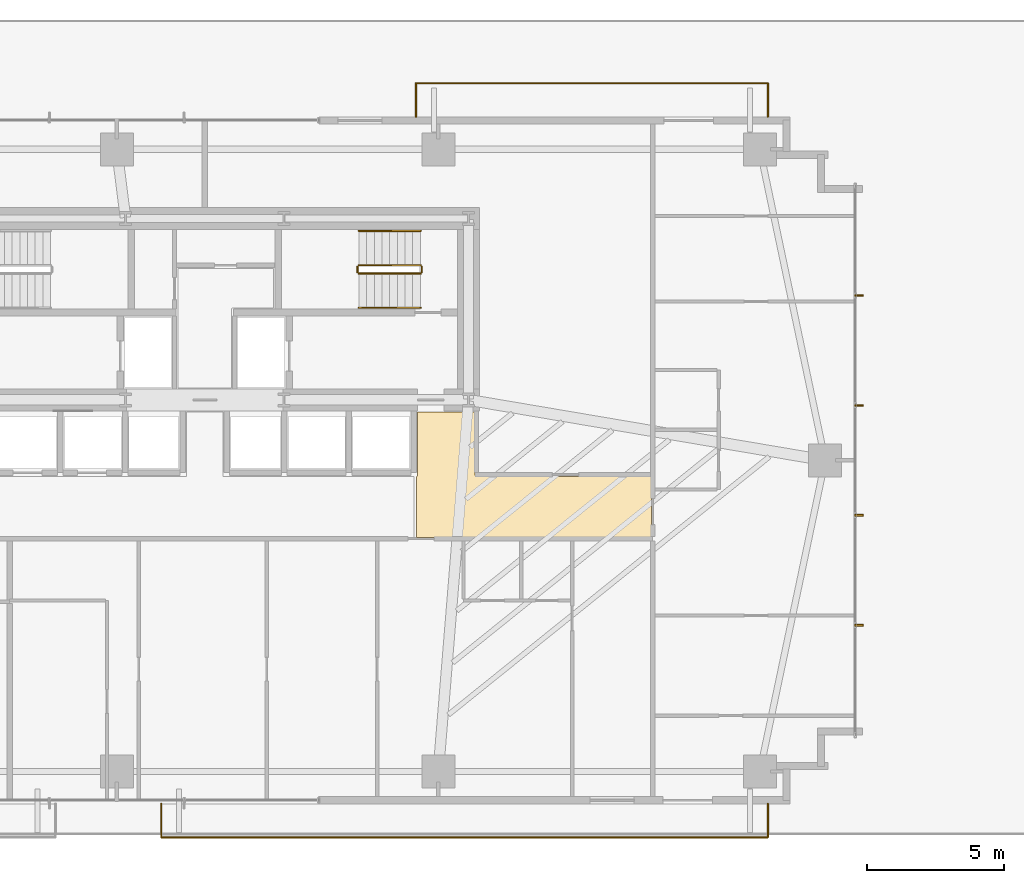
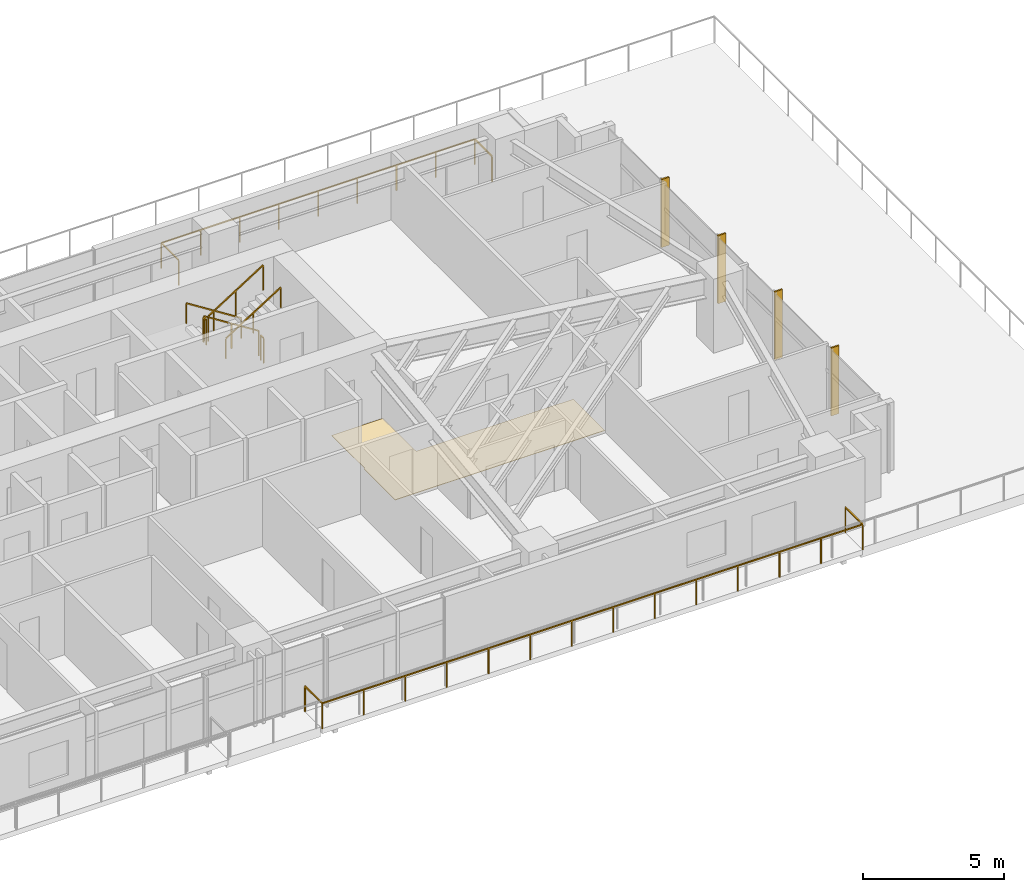
# One storey, part 26 of 26: 8 railings, 4 shading devices, 1 covering.
"""IFC4 building model written with IfcOpenShell, lengths in metres."""

from ifc_helpers import new_model, si_unit, direction, frame, origin, origin_2d, place, context, subcontext, project, spatial, polyline, rectangle, outline, extrude, source, transform, mapped, material, layer, layer_set, type_object, type_shapes, element, save


model = new_model("IFC4")

# Units and contexts
model_context = context("Model", 3, precision=1e-05, world=origin(), true_north=direction((0.0, 1.0)))
body_context = subcontext(model_context, "Body", "Model", "MODEL_VIEW")
ifc_project = project(units=[si_unit("LENGTHUNIT", "METRE"), si_unit("AREAUNIT", "SQUARE_METRE"), si_unit("VOLUMEUNIT", "CUBIC_METRE"), si_unit("PLANEANGLEUNIT", "RADIAN"), si_unit("MASSUNIT", "GRAM", prefix="KILO")], contexts=[model_context])

# Site, building, storey
site_placement = place(None, origin())
site = spatial("IfcSite", under=ifc_project, at=site_placement, CompositionType="ELEMENT")
building_placement = place(site_placement, origin())
building = spatial("IfcBuilding", under=site, at=building_placement, Name="Astriad Promenade Condominiums", CompositionType="ELEMENT")
storey_placement = place(building_placement, frame((0.0, 0.0, 23.0)))
storey = spatial("IfcBuildingStorey", under=building, at=storey_placement, Name="L05", CompositionType="ELEMENT", Elevation=23.0)

# Covering
ifc_material_1 = material(Name="Polished Lakefront Terrazzo Flooring")
ifc_layer = layer(ifc_material_1, 0.02001953125)
ifc_layer_set = layer_set([ifc_layer], Name="Polished Lakefront Terrazzo Flooring")
covering_type = type_object("IfcCoveringType", Name="COV-FLOR-TERRAZZO-20", PredefinedType="FLOORING", material=ifc_layer_set)
covering_placement = place(storey_placement, origin())
element("IfcCovering", 1, at=covering_placement, inside=storey, type_object=covering_type, Name="FLR-L05-COR-1", PredefinedType="FLOORING", context=body_context, shape_type="SweptSolid", body=[
    extrude(outline(polyline([(43.699951171875, 12.389892578125), (43.699951171875, 14.610107421875), (43.703857421875, 14.610107421875), (43.707763671875, 14.61083984375), (43.711669921875, 14.61181640625), (43.71533203125, 14.613037109375), (43.718994140625, 14.61474609375), (43.72216796875, 14.61669921875), (43.725341796875, 14.619140625), (43.728271484375, 14.62158203125), (43.73095703125, 14.62451171875), (43.7333984375, 14.627685546875), (43.7353515625, 14.631103515625), (43.737060546875, 14.634765625), (43.73828125, 14.638427734375), (43.7392578125, 14.64208984375), (43.73974609375, 14.64599609375), (43.739990234375, 14.64990234375), (43.739990234375, 16.9599609375), (45.840087890625, 16.9599609375), (45.840087890625, 14.659912109375), (45.840087890625, 14.656005859375), (45.8408203125, 14.652099609375), (45.841796875, 14.6484375), (45.843017578125, 14.644775390625), (45.8447265625, 14.64111328125), (45.8466796875, 14.6376953125), (45.84912109375, 14.634521484375), (45.851806640625, 14.631591796875), (45.8544921875, 14.629150390625), (45.85791015625, 14.626708984375), (45.861083984375, 14.624755859375), (45.86474609375, 14.623046875), (45.868408203125, 14.62158203125), (45.872314453125, 14.620849609375), (45.876220703125, 14.6201171875), (45.8798828125, 14.6201171875), (52.260009765625, 14.6201171875), (52.260009765625, 12.389892578125), (43.699951171875, 12.389892578125)])), origin(), (0.0, 0.0, 1.0), 0.02001953125),
])

# Shading devices
ifc_material_2 = material(Name="Anodised aluminium 6063-T6 Black Fin", Category="aluminium")
shading_device_type = type_object("IfcShadingDeviceType", Name="FIN-BLACK-320", PredefinedType="USERDEFINED", material=ifc_material_2)
shared_shape_1 = source(origin(), body_context, "Body", "SweptSolid", [
    extrude(rectangle(XDim=0.06494140625, YDim=0.320068359375, at=origin_2d()), origin(), (0.0, 0.0, 1.0), 2.93994140625),
])
type_shapes(shading_device_type, [shared_shape_1])
for number, where, z_axis, x_axis, name in (
    (2, (59.81005859375, 21.199951171875, 0.0), (0.0, 0.0, 1.0), (0.0, -1.0, 0.0), "CW-L05-E-FIN-01"),
    (3, (59.81005859375, 17.199951171875, 0.0), (0.0, 0.0, 1.0), (0.0, -1.0, 0.0), "CW-L05-E-FIN-02"),
    (4, (59.81005859375, 13.199951171875, 0.0), (0.0, 0.0, 1.0), (0.0, -1.0, 0.0), "CW-L05-E-FIN-03"),
    (5, (59.81005859375, 9.199951171875, 0.0), (0.0, 0.0, 1.0), (0.0, -1.0, 0.0), "CW-L05-E-FIN-04"),
):
    element("IfcShadingDevice", number, at=place(storey_placement, frame(where, z_axis=z_axis, x_axis=x_axis)), inside=storey, type_object=shading_device_type, Name=name, ObjectType="FIN", PredefinedType="USERDEFINED", context=body_context, shape_type="MappedRepresentation", body=[
        mapped(shared_shape_1, transform((0.0, 0.0, 0.0), scale=1.0)),
    ])

# Railings
ifc_material_3 = material(Name="Laminated Glass and Stainless Steel Balustrade", Category="steel")
railing_type_1 = type_object("IfcRailingType", Name="GRD-BALC-1120", PredefinedType="BALUSTRADE", material=ifc_material_3)
shared_shape_2 = source(origin(), body_context, "Body", "SweptSolid", [
    extrude(rectangle(XDim=0.048095703125, YDim=0.048095703125, at=origin_2d()), frame((0.0, 0.0, 1.09619140625), z_axis=(0.0, -1.0, 0.0), x_axis=(1.0, 0.0, 0.0)), (0.0, 0.0, 1.0), 1.219970703125),
    extrude(rectangle(XDim=0.048095703125, YDim=0.048095703125, at=origin_2d()), frame((0.0, -1.219970703125, 1.09619140625), z_axis=(1.0, 0.0, 0.0), x_axis=(0.0, 1.0, 0.0)), (0.0, 0.0, 1.0), 22.075927734375),
    extrude(rectangle(XDim=0.048095703125, YDim=0.048095703125, at=origin_2d()), frame((22.075927734375, -1.219970703125, 1.09619140625), z_axis=(0.0, 1.0, 0.0), x_axis=(-1.0, 0.0, 0.0)), (0.0, 0.0, 1.0), 1.219970703125),
    extrude(rectangle(XDim=0.0419921875, YDim=0.0419921875, at=origin_2d()), origin(), (0.0, 0.0, 1.0), 1.072021484375),
    extrude(rectangle(XDim=0.0419921875, YDim=0.0419921875, at=origin_2d()), frame((0.0, -1.219970703125, 0.0)), (0.0, 0.0, 1.0), 1.072021484375),
    extrude(rectangle(XDim=0.0419921875, YDim=0.0419921875, at=origin_2d()), frame((1.6982421875, -1.219970703125, 0.0)), (0.0, 0.0, 1.0), 1.072021484375),
    extrude(rectangle(XDim=0.0419921875, YDim=0.0419921875, at=origin_2d()), frame((3.396240234375, -1.219970703125, 0.0)), (0.0, 0.0, 1.0), 1.072021484375),
    extrude(rectangle(XDim=0.0419921875, YDim=0.0419921875, at=origin_2d()), frame((5.094482421875, -1.219970703125, 0.0)), (0.0, 0.0, 1.0), 1.072021484375),
    extrude(rectangle(XDim=0.0419921875, YDim=0.0419921875, at=origin_2d()), frame((6.79248046875, -1.219970703125, 0.0)), (0.0, 0.0, 1.0), 1.072021484375),
    extrude(rectangle(XDim=0.0419921875, YDim=0.0419921875, at=origin_2d()), frame((8.49072265625, -1.219970703125, 0.0)), (0.0, 0.0, 1.0), 1.072021484375),
    extrude(rectangle(XDim=0.0419921875, YDim=0.0419921875, at=origin_2d()), frame((10.18896484375, -1.219970703125, 0.0)), (0.0, 0.0, 1.0), 1.072021484375),
    extrude(rectangle(XDim=0.0419921875, YDim=0.0419921875, at=origin_2d()), frame((11.886962890625, -1.219970703125, 0.0)), (0.0, 0.0, 1.0), 1.072021484375),
    extrude(rectangle(XDim=0.0419921875, YDim=0.0419921875, at=origin_2d()), frame((13.585205078125, -1.219970703125, 0.0)), (0.0, 0.0, 1.0), 1.072021484375),
    extrude(rectangle(XDim=0.0419921875, YDim=0.0419921875, at=origin_2d()), frame((15.283447265625, -1.219970703125, 0.0)), (0.0, 0.0, 1.0), 1.072021484375),
    extrude(rectangle(XDim=0.0419921875, YDim=0.0419921875, at=origin_2d()), frame((16.9814453125, -1.219970703125, 0.0)), (0.0, 0.0, 1.0), 1.072021484375),
    extrude(rectangle(XDim=0.0419921875, YDim=0.0419921875, at=origin_2d()), frame((18.6796875, -1.219970703125, 0.0)), (0.0, 0.0, 1.0), 1.072021484375),
    extrude(rectangle(XDim=0.0419921875, YDim=0.0419921875, at=origin_2d()), frame((20.377685546875, -1.219970703125, 0.0)), (0.0, 0.0, 1.0), 1.072021484375),
    extrude(rectangle(XDim=0.0419921875, YDim=0.0419921875, at=origin_2d()), frame((22.075927734375, -1.219970703125, 0.0)), (0.0, 0.0, 1.0), 1.072021484375),
    extrude(rectangle(XDim=0.0419921875, YDim=0.0419921875, at=origin_2d()), frame((22.075927734375, 0.0, 0.0)), (0.0, 0.0, 1.0), 1.072021484375),
])
railing_1_placement = place(storey_placement, frame((34.41796875, 2.699951171875, 0.0)))
element("IfcRailing", 6, at=railing_1_placement, inside=storey, type_object=railing_type_1, Name="GRD-BALC-L05-SE", PredefinedType="BALUSTRADE", context=body_context, shape_type="MappedRepresentation", body=[
    mapped(shared_shape_2, transform((0.0, 0.0, 0.0), scale=1.0)),
])
shared_shape_3 = source(origin(), body_context, "Body", "SweptSolid", [
    extrude(rectangle(XDim=0.048095703125, YDim=0.048095703125, at=origin_2d()), frame((0.0, 0.0, 1.09619140625), z_axis=(0.0, 1.0, 0.0), x_axis=(-1.0, 0.0, 0.0)), (0.0, 0.0, 1.0), 1.219970703125),
    extrude(rectangle(XDim=0.048095703125, YDim=0.048095703125, at=origin_2d()), frame((0.0, 1.219970703125, 1.09619140625), z_axis=(-1.0, 0.0, 0.0), x_axis=(0.0, -1.0, 0.0)), (0.0, 0.0, 1.0), 12.803955078125),
    extrude(rectangle(XDim=0.048095703125, YDim=0.048095703125, at=origin_2d()), frame((-12.803955078125, 1.219970703125, 1.09619140625), z_axis=(0.0, -1.0, 0.0), x_axis=(1.0, 0.0, 0.0)), (0.0, 0.0, 1.0), 1.219970703125),
    extrude(rectangle(XDim=0.0419921875, YDim=0.0419921875, at=origin_2d()), origin(), (0.0, 0.0, 1.0), 1.072021484375),
    extrude(rectangle(XDim=0.0419921875, YDim=0.0419921875, at=origin_2d()), frame((0.0, 1.219970703125, 0.0)), (0.0, 0.0, 1.0), 1.072021484375),
    extrude(rectangle(XDim=0.0419921875, YDim=0.0419921875, at=origin_2d()), frame((-1.6005859375, 1.219970703125, 0.0)), (0.0, 0.0, 1.0), 1.072021484375),
    extrude(rectangle(XDim=0.0419921875, YDim=0.0419921875, at=origin_2d()), frame((-3.200927734375, 1.219970703125, 0.0)), (0.0, 0.0, 1.0), 1.072021484375),
    extrude(rectangle(XDim=0.0419921875, YDim=0.0419921875, at=origin_2d()), frame((-4.801513671875, 1.219970703125, 0.0)), (0.0, 0.0, 1.0), 1.072021484375),
    extrude(rectangle(XDim=0.0419921875, YDim=0.0419921875, at=origin_2d()), frame((-6.40185546875, 1.219970703125, 0.0)), (0.0, 0.0, 1.0), 1.072021484375),
    extrude(rectangle(XDim=0.0419921875, YDim=0.0419921875, at=origin_2d()), frame((-8.00244140625, 1.219970703125, 0.0)), (0.0, 0.0, 1.0), 1.072021484375),
    extrude(rectangle(XDim=0.0419921875, YDim=0.0419921875, at=origin_2d()), frame((-9.60302734375, 1.219970703125, 0.0)), (0.0, 0.0, 1.0), 1.072021484375),
    extrude(rectangle(XDim=0.0419921875, YDim=0.0419921875, at=origin_2d()), frame((-11.203369140625, 1.219970703125, 0.0)), (0.0, 0.0, 1.0), 1.072021484375),
    extrude(rectangle(XDim=0.0419921875, YDim=0.0419921875, at=origin_2d()), frame((-12.803955078125, 1.219970703125, 0.0)), (0.0, 0.0, 1.0), 1.072021484375),
    extrude(rectangle(XDim=0.0419921875, YDim=0.0419921875, at=origin_2d()), frame((-12.803955078125, 0.0, 0.0)), (0.0, 0.0, 1.0), 1.072021484375),
])
type_shapes(railing_type_1, [shared_shape_2, shared_shape_3])
railing_2_placement = place(storey_placement, frame((56.493896484375, 27.699951171875, 0.0)))
element("IfcRailing", 7, at=railing_2_placement, inside=storey, type_object=railing_type_1, Name="GRD-BALC-L05-NE", PredefinedType="BALUSTRADE", context=body_context, shape_type="MappedRepresentation", body=[
    mapped(shared_shape_3, transform((0.0, 0.0, 0.0), scale=1.0)),
])
ifc_material_4 = material(Name="Painted Galvanised Steel Guardrail", Category="steel")
railing_type_2 = type_object("IfcRailingType", Name="GRD-STAIR-1100", PredefinedType="GUARDRAIL", material=ifc_material_4)
shared_shape_4 = source(origin(), body_context, "Body", "SweptSolid", [
    extrude(rectangle(XDim=0.048095703125, YDim=0.048095703125, at=origin_2d()), frame((0.0, 0.0, 1.076171875), z_axis=(0.8442293374, 0.0, 0.53598211339), x_axis=(0.0, 1.0, 0.0)), (0.0, 0.0, 1.0), 2.6533203125),
    extrude(rectangle(XDim=0.0419921875, YDim=0.0419921875, at=origin_2d()), origin(), (0.0, 0.0, 1.0), 1.052001953125),
    extrude(rectangle(XDim=0.0419921875, YDim=0.0419921875, at=origin_2d()), frame((1.1201171875, 0.0, 0.7109375)), (0.0, 0.0, 1.0), 1.052001953125),
    extrude(rectangle(XDim=0.0419921875, YDim=0.0419921875, at=origin_2d()), frame((2.239990234375, 0.0, 1.422119140625)), (0.0, 0.0, 1.0), 1.052001953125),
])
railing_3_placement = place(storey_placement, frame((41.610107421875, 22.0, 1.77783203125)))
element("IfcRailing", 8, at=railing_3_placement, inside=storey, type_object=railing_type_2, Name="L05 ST-2 stair guard 3", PredefinedType="GUARDRAIL", context=body_context, shape_type="MappedRepresentation", body=[
    mapped(shared_shape_4, transform((0.0, 0.0, 0.0), scale=1.0)),
])
shared_shape_5 = source(origin(), body_context, "Body", "SweptSolid", [
    extrude(rectangle(XDim=0.048095703125, YDim=0.048095703125, at=origin_2d()), frame((0.0, 0.0, 1.076171875), z_axis=(-0.84418770128, 0.0, 0.536047689118), x_axis=(0.0, -1.0, 0.0)), (0.0, 0.0, 1.0), 2.6533203125),
    extrude(rectangle(XDim=0.0419921875, YDim=0.0419921875, at=origin_2d()), origin(), (0.0, 0.0, 1.0), 1.052001953125),
    extrude(rectangle(XDim=0.0419921875, YDim=0.0419921875, at=origin_2d()), frame((-1.1201171875, 0.0, 0.711181640625)), (0.0, 0.0, 1.0), 1.052001953125),
    extrude(rectangle(XDim=0.0419921875, YDim=0.0419921875, at=origin_2d()), frame((-2.239990234375, 0.0, 1.42236328125)), (0.0, 0.0, 1.0), 1.052001953125),
])
railing_4_placement = place(storey_placement, frame((43.85009765625, 22.300048828125, 0.177734375)))
element("IfcRailing", 9, at=railing_4_placement, inside=storey, type_object=railing_type_2, Name="L05 ST-2 stair guard 1", PredefinedType="GUARDRAIL", context=body_context, shape_type="MappedRepresentation", body=[
    mapped(shared_shape_5, transform((0.0, 0.0, 0.0), scale=1.0)),
])
ifc_material_5 = material(Name="Brushed Stainless Steel Handrail", Category="steel")
railing_type_3 = type_object("IfcRailingType", Name="HRL-STAIR-920", PredefinedType="HANDRAIL", material=ifc_material_5)
shared_shape_6 = source(origin(), body_context, "Body", "SweptSolid", [
    extrude(rectangle(XDim=0.048095703125, YDim=0.048095703125, at=origin_2d()), frame((0.0, 0.0, 0.8759765625), z_axis=(0.8442293374, 0.0, 0.53598211339), x_axis=(0.0, 1.0, 0.0)), (0.0, 0.0, 1.0), 2.6533203125),
    extrude(rectangle(XDim=0.0419921875, YDim=0.0419921875, at=origin_2d()), origin(), (0.0, 0.0, 1.0), 0.851806640625),
    extrude(rectangle(XDim=0.0419921875, YDim=0.0419921875, at=origin_2d()), frame((1.1201171875, 0.0, 0.7109375)), (0.0, 0.0, 1.0), 0.851806640625),
    extrude(rectangle(XDim=0.0419921875, YDim=0.0419921875, at=origin_2d()), frame((2.239990234375, 0.0, 1.422119140625)), (0.0, 0.0, 1.0), 0.851806640625),
])
railing_5_placement = place(storey_placement, frame((41.610107421875, 20.75, 1.77783203125)))
element("IfcRailing", 10, at=railing_5_placement, inside=storey, type_object=railing_type_3, Name="L05 ST-2 stair handrail 2", PredefinedType="HANDRAIL", context=body_context, shape_type="MappedRepresentation", body=[
    mapped(shared_shape_6, transform((0.0, 0.0, 0.0), scale=1.0)),
])
shared_shape_7 = source(origin(), body_context, "Body", "SweptSolid", [
    extrude(rectangle(XDim=0.048095703125, YDim=0.048095703125, at=origin_2d()), frame((0.0, 0.0, 0.8759765625), z_axis=(-0.84418770128, 0.0, 0.536047689118), x_axis=(0.0, -1.0, 0.0)), (0.0, 0.0, 1.0), 2.6533203125),
    extrude(rectangle(XDim=0.0419921875, YDim=0.0419921875, at=origin_2d()), origin(), (0.0, 0.0, 1.0), 0.851806640625),
    extrude(rectangle(XDim=0.0419921875, YDim=0.0419921875, at=origin_2d()), frame((-1.1201171875, 0.0, 0.711181640625)), (0.0, 0.0, 1.0), 0.851806640625),
    extrude(rectangle(XDim=0.0419921875, YDim=0.0419921875, at=origin_2d()), frame((-2.239990234375, 0.0, 1.42236328125)), (0.0, 0.0, 1.0), 0.851806640625),
])
type_shapes(railing_type_3, [shared_shape_6, shared_shape_7])
railing_6_placement = place(storey_placement, frame((43.85009765625, 23.550048828125, 0.177734375)))
element("IfcRailing", 11, at=railing_6_placement, inside=storey, type_object=railing_type_3, Name="L05 ST-2 stair handrail 1", PredefinedType="HANDRAIL", context=body_context, shape_type="MappedRepresentation", body=[
    mapped(shared_shape_7, transform((0.0, 0.0, 0.0), scale=1.0)),
])
shared_shape_8 = source(origin(), body_context, "Body", "SweptSolid", [
    extrude(rectangle(XDim=0.048095703125, YDim=0.048095703125, at=origin_2d()), frame((0.0, 0.0, 1.076171875), z_axis=(0.0, -1.0, 0.0), x_axis=(1.0, 0.0, 0.0)), (0.0, 0.0, 1.0), 0.199951171875),
    extrude(rectangle(XDim=0.0419921875, YDim=0.0419921875, at=origin_2d()), origin(), (0.0, 0.0, 1.0), 1.052001953125),
    extrude(rectangle(XDim=0.0419921875, YDim=0.0419921875, at=origin_2d()), frame((0.0, -0.199951171875, 0.0)), (0.0, 0.0, 1.0), 1.052001953125),
])
type_shapes(railing_type_2, [shared_shape_4, shared_shape_5, shared_shape_8])
for number, where, name in (
    (12, (41.56005859375, 22.25, 1.60009765625), "L05 ST-2 stair guard 2"),
    (13, (43.89990234375, 22.25, 0.0), "L05 ST-2 stair guard 4"),
):
    element("IfcRailing", number, at=place(storey_placement, frame(where)), inside=storey, type_object=railing_type_2, Name=name, PredefinedType="GUARDRAIL", context=body_context, shape_type="MappedRepresentation", body=[
        mapped(shared_shape_8, transform((0.0, 0.0, 0.0), scale=1.0)),
    ])

save(model, "model.ifc")
